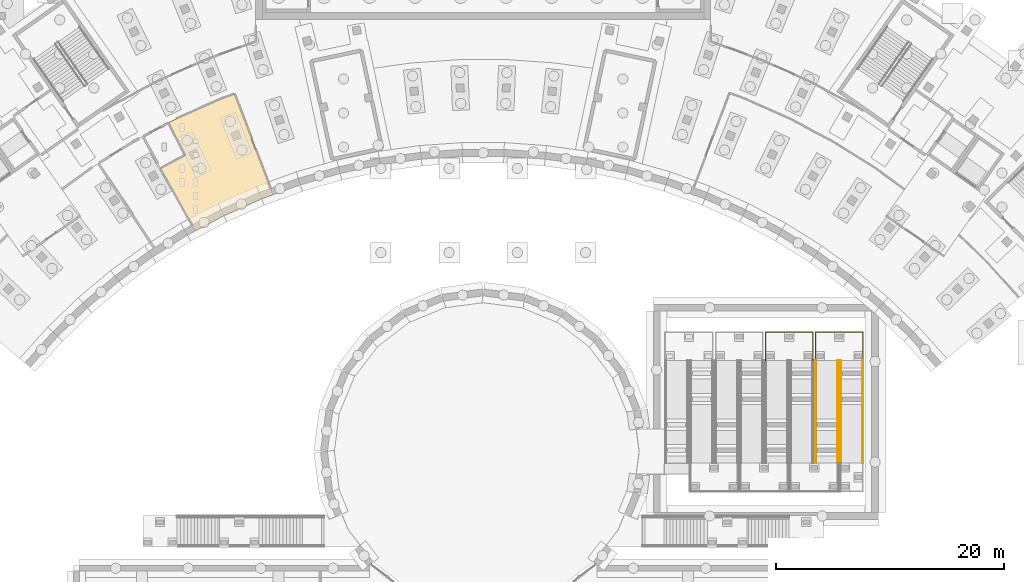
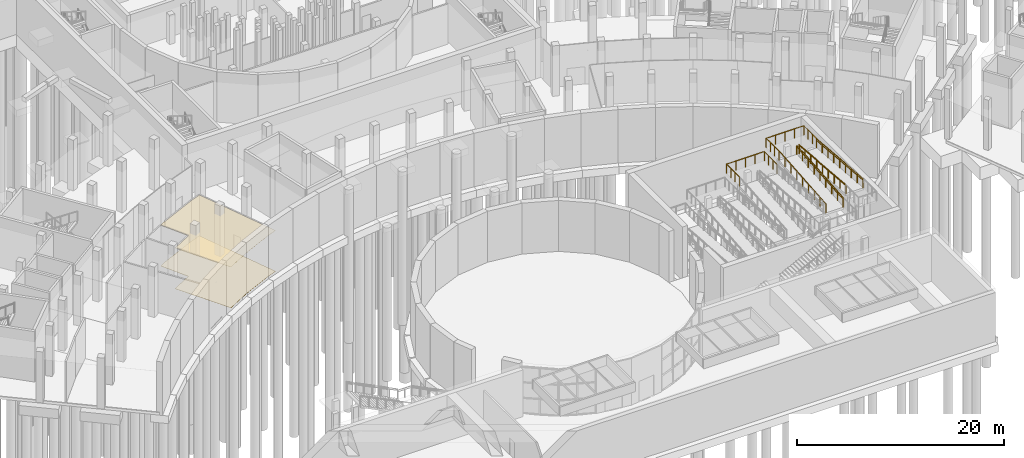
# One storey, part 40 of 66: 9 railings, 2 coverings.
"""IFC4 building model written with IfcOpenShell, lengths in metres."""

from ifc_helpers import new_model, si_unit, direction, frame, origin, origin_2d, place, context, subcontext, project, spatial, polyline, circle, outline, extrude, material, layer, layer_set, type_object, element, save


model = new_model("IFC4")

# Units and contexts
model_context = context("Model", 3, precision=1e-05, world=origin(), true_north=direction((0.0, 1.0)))
body_context = subcontext(model_context, "Body", "Model", "MODEL_VIEW")
ifc_project = project(units=[si_unit("LENGTHUNIT", "METRE"), si_unit("AREAUNIT", "SQUARE_METRE"), si_unit("VOLUMEUNIT", "CUBIC_METRE"), si_unit("PLANEANGLEUNIT", "RADIAN"), si_unit("MASSUNIT", "GRAM", prefix="KILO")], contexts=[model_context])

# Site, building, storey
site_placement = place(None, origin())
site = spatial("IfcSite", under=ifc_project, at=site_placement, CompositionType="ELEMENT")
building_placement = place(site_placement, origin())
building = spatial("IfcBuilding", under=site, at=building_placement, Name="Lunette Opera House", CompositionType="ELEMENT")
storey_placement = place(building_placement, frame((0.0, 0.0, -6.0)))
storey = spatial("IfcBuildingStorey", under=building, at=storey_placement, Name="B1", CompositionType="ELEMENT", Elevation=-6.0)

# Railings
ifc_material_1 = material(Name="Steel S355", Category="steel")
railing_type_1 = type_object("IfcRailingType", Name="RAMP GUARD 1100", PredefinedType="GUARDRAIL", material=ifc_material_1)
railing_1_placement = place(storey_placement, frame((125.0, 34.02001953125, 3.75)))
element("IfcRailing", 1, at=railing_1_placement, inside=storey, type_object=railing_type_1, Name="FR5 landing guard 2", PredefinedType="GUARDRAIL", context=body_context, shape_type="SweptSolid", body=[
    extrude(circle(Radius=0.02392578125, at=origin_2d()), frame((0.0, 0.0, 1.076171875), z_axis=(0.0, 1.0, 0.0), x_axis=(-1.0, 0.0, 0.0)), (0.0, 0.0, 1.0), 2.47998046875),
    extrude(circle(Radius=0.02392578125, at=origin_2d()), frame((0.0, 2.47998046875, 1.076171875), z_axis=(-1.0, 0.0, 0.0), x_axis=(0.0, -1.0, 0.0)), (0.0, 0.0, 1.0), 4.199951171875),
    extrude(circle(Radius=0.02392578125, at=origin_2d()), frame((-4.199951171875, 2.47998046875, 1.076171875), z_axis=(0.0, -1.0, 0.0), x_axis=(1.0, 0.0, 0.0)), (0.0, 0.0, 1.0), 2.47998046875),
    extrude(circle(Radius=0.02099609375, at=origin_2d()), origin(), (0.0, 0.0, 1.0), 1.052001953125),
    extrude(circle(Radius=0.02099609375, at=origin_2d()), frame((0.0, 0.82666015625, 0.0)), (0.0, 0.0, 1.0), 1.052001953125),
    extrude(circle(Radius=0.02099609375, at=origin_2d()), frame((0.0, 1.6533203125, 0.0)), (0.0, 0.0, 1.0), 1.052001953125),
    extrude(circle(Radius=0.02099609375, at=origin_2d()), frame((0.0, 2.47998046875, 0.0)), (0.0, 0.0, 1.0), 1.052001953125),
    extrude(circle(Radius=0.02099609375, at=origin_2d()), frame((-1.050048828125, 2.47998046875, 0.0)), (0.0, 0.0, 1.0), 1.052001953125),
    extrude(circle(Radius=0.02099609375, at=origin_2d()), frame((-2.10009765625, 2.47998046875, 0.0)), (0.0, 0.0, 1.0), 1.052001953125),
    extrude(circle(Radius=0.02099609375, at=origin_2d()), frame((-3.14990234375, 2.47998046875, 0.0)), (0.0, 0.0, 1.0), 1.052001953125),
    extrude(circle(Radius=0.02099609375, at=origin_2d()), frame((-4.199951171875, 2.47998046875, 0.0)), (0.0, 0.0, 1.0), 1.052001953125),
    extrude(circle(Radius=0.02099609375, at=origin_2d()), frame((-4.199951171875, 1.6533203125, 0.0)), (0.0, 0.0, 1.0), 1.052001953125),
    extrude(circle(Radius=0.02099609375, at=origin_2d()), frame((-4.199951171875, 0.82666015625, 0.0)), (0.0, 0.0, 1.0), 1.052001953125),
    extrude(circle(Radius=0.02099609375, at=origin_2d()), frame((-4.199951171875, 0.0, 0.0)), (0.0, 0.0, 1.0), 1.052001953125),
])
for number, where, name in (
    (2, (125.219970703125, 25.0, 4.5), "FR7 ramp guard 1"),
    (3, (127.179931640625, 25.0, 4.5), "FR7 ramp guard 2"),
):
    element("IfcRailing", number, at=place(storey_placement, frame(where)), inside=storey, type_object=railing_type_1, Name=name, PredefinedType="GUARDRAIL", context=body_context, shape_type="SweptSolid", body=[
        extrude(circle(Radius=0.02392578125, at=origin_2d()), frame((0.0, 0.0, 1.076171875), z_axis=(0.0, 0.996545758245, 0.083045479854), x_axis=(-1.0, 0.0, 0.0)), (0.0, 0.0, 1.0), 9.03125),
        extrude(circle(Radius=0.02099609375, at=origin_2d()), origin(), (0.0, 0.0, 1.0), 1.052001953125),
        extrude(circle(Radius=0.02099609375, at=origin_2d()), frame((0.0, 1.125, 0.09375)), (0.0, 0.0, 1.0), 1.052001953125),
        extrude(circle(Radius=0.02099609375, at=origin_2d()), frame((0.0, 2.25, 0.1875)), (0.0, 0.0, 1.0), 1.052001953125),
        extrude(circle(Radius=0.02099609375, at=origin_2d()), frame((0.0, 3.375, 0.28125)), (0.0, 0.0, 1.0), 1.052001953125),
        extrude(circle(Radius=0.02099609375, at=origin_2d()), frame((0.0, 4.5, 0.375)), (0.0, 0.0, 1.0), 1.052001953125),
        extrude(circle(Radius=0.02099609375, at=origin_2d()), frame((0.0, 5.625, 0.46875)), (0.0, 0.0, 1.0), 1.052001953125),
        extrude(circle(Radius=0.02099609375, at=origin_2d()), frame((0.0, 6.75, 0.5625)), (0.0, 0.0, 1.0), 1.052001953125),
        extrude(circle(Radius=0.02099609375, at=origin_2d()), frame((0.0, 7.875, 0.65625)), (0.0, 0.0, 1.0), 1.052001953125),
        extrude(circle(Radius=0.02099609375, at=origin_2d()), frame((0.0, 9.0, 0.75)), (0.0, 0.0, 1.0), 1.052001953125),
    ])
railing_2_placement = place(storey_placement, frame((129.39990234375, 34.02001953125, 5.25)))
element("IfcRailing", 4, at=railing_2_placement, inside=storey, type_object=railing_type_1, Name="FR7 landing guard 2", PredefinedType="GUARDRAIL", context=body_context, shape_type="SweptSolid", body=[
    extrude(circle(Radius=0.02392578125, at=origin_2d()), frame((0.0, 0.0, 1.076171875), z_axis=(0.0, 1.0, 0.0), x_axis=(-1.0, 0.0, 0.0)), (0.0, 0.0, 1.0), 2.47998046875),
    extrude(circle(Radius=0.02392578125, at=origin_2d()), frame((0.0, 2.47998046875, 1.076171875), z_axis=(-1.0, 0.0, 0.0), x_axis=(0.0, -1.0, 0.0)), (0.0, 0.0, 1.0), 4.199951171875),
    extrude(circle(Radius=0.02392578125, at=origin_2d()), frame((-4.199951171875, 2.47998046875, 1.076171875), z_axis=(0.0, -1.0, 0.0), x_axis=(1.0, 0.0, 0.0)), (0.0, 0.0, 1.0), 2.47998046875),
    extrude(circle(Radius=0.02099609375, at=origin_2d()), origin(), (0.0, 0.0, 1.0), 1.052001953125),
    extrude(circle(Radius=0.02099609375, at=origin_2d()), frame((0.0, 0.82666015625, 0.0)), (0.0, 0.0, 1.0), 1.052001953125),
    extrude(circle(Radius=0.02099609375, at=origin_2d()), frame((0.0, 1.6533203125, 0.0)), (0.0, 0.0, 1.0), 1.052001953125),
    extrude(circle(Radius=0.02099609375, at=origin_2d()), frame((0.0, 2.47998046875, 0.0)), (0.0, 0.0, 1.0), 1.052001953125),
    extrude(circle(Radius=0.02099609375, at=origin_2d()), frame((-1.050048828125, 2.47998046875, 0.0)), (0.0, 0.0, 1.0), 1.052001953125),
    extrude(circle(Radius=0.02099609375, at=origin_2d()), frame((-2.10009765625, 2.47998046875, 0.0)), (0.0, 0.0, 1.0), 1.052001953125),
    extrude(circle(Radius=0.02099609375, at=origin_2d()), frame((-3.14990234375, 2.47998046875, 0.0)), (0.0, 0.0, 1.0), 1.052001953125),
    extrude(circle(Radius=0.02099609375, at=origin_2d()), frame((-4.199951171875, 2.47998046875, 0.0)), (0.0, 0.0, 1.0), 1.052001953125),
    extrude(circle(Radius=0.02099609375, at=origin_2d()), frame((-4.199951171875, 1.6533203125, 0.0)), (0.0, 0.0, 1.0), 1.052001953125),
    extrude(circle(Radius=0.02099609375, at=origin_2d()), frame((-4.199951171875, 0.82666015625, 0.0)), (0.0, 0.0, 1.0), 1.052001953125),
    extrude(circle(Radius=0.02099609375, at=origin_2d()), frame((-4.199951171875, 0.0, 0.0)), (0.0, 0.0, 1.0), 1.052001953125),
])
for number, where, name in (
    (5, (127.419921875, 34.0, 5.25), "FR8 ramp guard 1"),
    (6, (129.3798828125, 34.0, 5.25), "FR8 ramp guard 2"),
):
    element("IfcRailing", number, at=place(storey_placement, frame(where)), inside=storey, type_object=railing_type_1, Name=name, PredefinedType="GUARDRAIL", context=body_context, shape_type="SweptSolid", body=[
        extrude(circle(Radius=0.02392578125, at=origin_2d()), frame((0.0, 0.0, 1.076171875), z_axis=(0.0, -0.996545758245, 0.083045479854), x_axis=(1.0, 0.0, 0.0)), (0.0, 0.0, 1.0), 9.03125),
        extrude(circle(Radius=0.02099609375, at=origin_2d()), origin(), (0.0, 0.0, 1.0), 1.052001953125),
        extrude(circle(Radius=0.02099609375, at=origin_2d()), frame((0.0, -1.125, 0.09375)), (0.0, 0.0, 1.0), 1.052001953125),
        extrude(circle(Radius=0.02099609375, at=origin_2d()), frame((0.0, -2.25, 0.1875)), (0.0, 0.0, 1.0), 1.052001953125),
        extrude(circle(Radius=0.02099609375, at=origin_2d()), frame((0.0, -3.375, 0.28125)), (0.0, 0.0, 1.0), 1.052001953125),
        extrude(circle(Radius=0.02099609375, at=origin_2d()), frame((0.0, -4.5, 0.375)), (0.0, 0.0, 1.0), 1.052001953125),
        extrude(circle(Radius=0.02099609375, at=origin_2d()), frame((0.0, -5.625, 0.46875)), (0.0, 0.0, 1.0), 1.052001953125),
        extrude(circle(Radius=0.02099609375, at=origin_2d()), frame((0.0, -6.75, 0.5625)), (0.0, 0.0, 1.0), 1.052001953125),
        extrude(circle(Radius=0.02099609375, at=origin_2d()), frame((0.0, -7.875, 0.65625)), (0.0, 0.0, 1.0), 1.052001953125),
        extrude(circle(Radius=0.02099609375, at=origin_2d()), frame((0.0, -9.0, 0.75)), (0.0, 0.0, 1.0), 1.052001953125),
    ])
ifc_material_2 = material(Name="Steel S355", Category="steel")
railing_type_2 = type_object("IfcRailingType", Name="RAMP HANDRAIL 950", PredefinedType="HANDRAIL", material=ifc_material_2)
railing_3_placement = place(storey_placement, frame((127.139892578125, 25.0, 4.5)))
element("IfcRailing", 7, at=railing_3_placement, inside=storey, type_object=railing_type_2, Name="FR7 ramp handrail 2", PredefinedType="HANDRAIL", context=body_context, shape_type="SweptSolid", body=[
    extrude(circle(Radius=0.02392578125, at=origin_2d()), frame((0.0, 0.0, 0.92578125), z_axis=(0.0, 0.996545758245, 0.083045479854), x_axis=(-1.0, 0.0, 0.0)), (0.0, 0.0, 1.0), 9.03125),
    extrude(circle(Radius=0.02099609375, at=origin_2d()), origin(), (0.0, 0.0, 1.0), 0.90185546875),
    extrude(circle(Radius=0.02099609375, at=origin_2d()), frame((0.0, 1.125, 0.09375)), (0.0, 0.0, 1.0), 0.90185546875),
    extrude(circle(Radius=0.02099609375, at=origin_2d()), frame((0.0, 2.25, 0.1875)), (0.0, 0.0, 1.0), 0.90185546875),
    extrude(circle(Radius=0.02099609375, at=origin_2d()), frame((0.0, 3.375, 0.28125)), (0.0, 0.0, 1.0), 0.90185546875),
    extrude(circle(Radius=0.02099609375, at=origin_2d()), frame((0.0, 4.5, 0.375)), (0.0, 0.0, 1.0), 0.90185546875),
    extrude(circle(Radius=0.02099609375, at=origin_2d()), frame((0.0, 5.625, 0.46875)), (0.0, 0.0, 1.0), 0.90185546875),
    extrude(circle(Radius=0.02099609375, at=origin_2d()), frame((0.0, 6.75, 0.5625)), (0.0, 0.0, 1.0), 0.90185546875),
    extrude(circle(Radius=0.02099609375, at=origin_2d()), frame((0.0, 7.875, 0.65625)), (0.0, 0.0, 1.0), 0.90185546875),
    extrude(circle(Radius=0.02099609375, at=origin_2d()), frame((0.0, 9.0, 0.75)), (0.0, 0.0, 1.0), 0.90185546875),
])
for number, where, name in (
    (8, (127.4599609375, 34.0, 5.25), "FR8 ramp handrail 1"),
    (9, (129.340087890625, 34.0, 5.25), "FR8 ramp handrail 2"),
):
    element("IfcRailing", number, at=place(storey_placement, frame(where)), inside=storey, type_object=railing_type_2, Name=name, PredefinedType="HANDRAIL", context=body_context, shape_type="SweptSolid", body=[
        extrude(circle(Radius=0.02392578125, at=origin_2d()), frame((0.0, 0.0, 0.92578125), z_axis=(0.0, -0.996545758245, 0.083045479854), x_axis=(1.0, 0.0, 0.0)), (0.0, 0.0, 1.0), 9.03125),
        extrude(circle(Radius=0.02099609375, at=origin_2d()), origin(), (0.0, 0.0, 1.0), 0.90185546875),
        extrude(circle(Radius=0.02099609375, at=origin_2d()), frame((0.0, -1.125, 0.09375)), (0.0, 0.0, 1.0), 0.90185546875),
        extrude(circle(Radius=0.02099609375, at=origin_2d()), frame((0.0, -2.25, 0.1875)), (0.0, 0.0, 1.0), 0.90185546875),
        extrude(circle(Radius=0.02099609375, at=origin_2d()), frame((0.0, -3.375, 0.28125)), (0.0, 0.0, 1.0), 0.90185546875),
        extrude(circle(Radius=0.02099609375, at=origin_2d()), frame((0.0, -4.5, 0.375)), (0.0, 0.0, 1.0), 0.90185546875),
        extrude(circle(Radius=0.02099609375, at=origin_2d()), frame((0.0, -5.625, 0.46875)), (0.0, 0.0, 1.0), 0.90185546875),
        extrude(circle(Radius=0.02099609375, at=origin_2d()), frame((0.0, -6.75, 0.5625)), (0.0, 0.0, 1.0), 0.90185546875),
        extrude(circle(Radius=0.02099609375, at=origin_2d()), frame((0.0, -7.875, 0.65625)), (0.0, 0.0, 1.0), 0.90185546875),
        extrude(circle(Radius=0.02099609375, at=origin_2d()), frame((0.0, -9.0, 0.75)), (0.0, 0.0, 1.0), 0.90185546875),
    ])

# Coverings
ifc_material_3 = material(Name="Mineral fibre board")
ifc_layer_1 = layer(ifc_material_3, 0.014892578125)
ifc_layer_set_1 = layer_set([ifc_layer_1], Name="Mineral fibre board")
covering_type_1 = type_object("IfcCoveringType", Name="SUSPENDED ACOUSTIC CEILING 15", PredefinedType="CEILING", material=ifc_layer_set_1)
covering_1_placement = place(storey_placement, frame((0.0, 0.0, 4.81494140625)))
element("IfcCovering", 10, at=covering_1_placement, inside=storey, type_object=covering_type_1, Name="Ceiling Public WC Lower", PredefinedType="CEILING", context=body_context, shape_type="SweptSolid", body=[
    extrude(outline(polyline([(73.205078125, 46.737060546875), (70.700927734375, 45.406005859375), (67.635986328125, 50.906982421875), (69.784912109375, 52.050048828125), (68.346923828125, 54.906982421875), (69.0400390625, 55.27587890625), (72.9619140625, 57.02197265625), (74.14306640625, 57.451904296875), (77.51904296875, 48.577880859375), (76.52001953125, 48.214111328125), (74.52197265625, 47.323974609375), (73.205078125, 46.737060546875)])), origin(), (0.0, 0.0, 1.0), 0.01513671875),
])
ifc_material_4 = material(Name="Ceramic tile")
ifc_layer_2 = layer(ifc_material_4, 0.02490234375)
ifc_layer_set_2 = layer_set([ifc_layer_2], Name="Ceramic tile")
covering_type_2 = type_object("IfcCoveringType", Name="TILED FLOOR FINISH 25", PredefinedType="FLOORING", material=ifc_layer_set_2)
covering_2_placement = place(storey_placement, origin())
element("IfcCovering", 11, at=covering_2_placement, inside=storey, type_object=covering_type_2, Name="Floor finish Public WC Lower", PredefinedType="FLOORING", context=body_context, shape_type="SweptSolid", body=[
    extrude(outline(polyline([(73.205078125, 46.737060546875), (70.700927734375, 45.406005859375), (67.635986328125, 50.906982421875), (69.784912109375, 52.050048828125), (68.346923828125, 54.906982421875), (69.0400390625, 55.27587890625), (72.9619140625, 57.02197265625), (74.14306640625, 57.451904296875), (77.51904296875, 48.577880859375), (76.52001953125, 48.214111328125), (74.52197265625, 47.323974609375), (73.205078125, 46.737060546875)])), origin(), (0.0, 0.0, 1.0), 0.02490234375),
])

save(model, "model.ifc")
